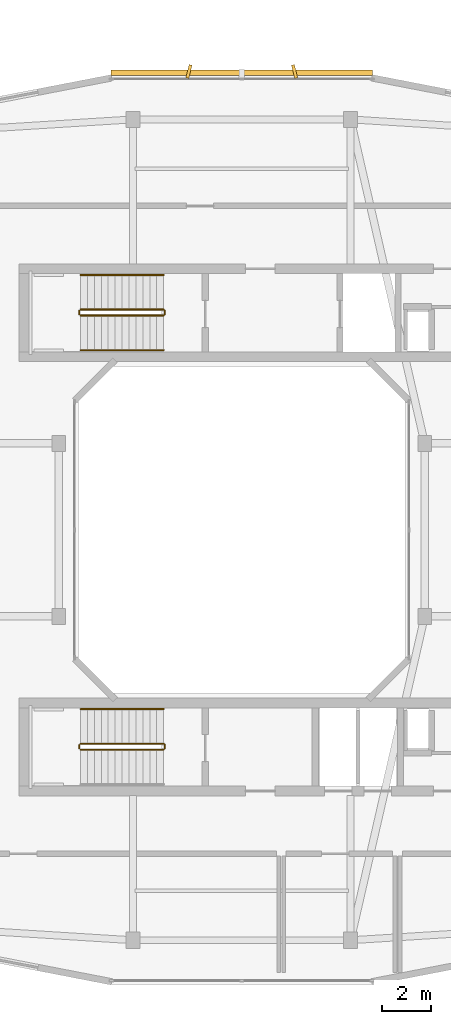
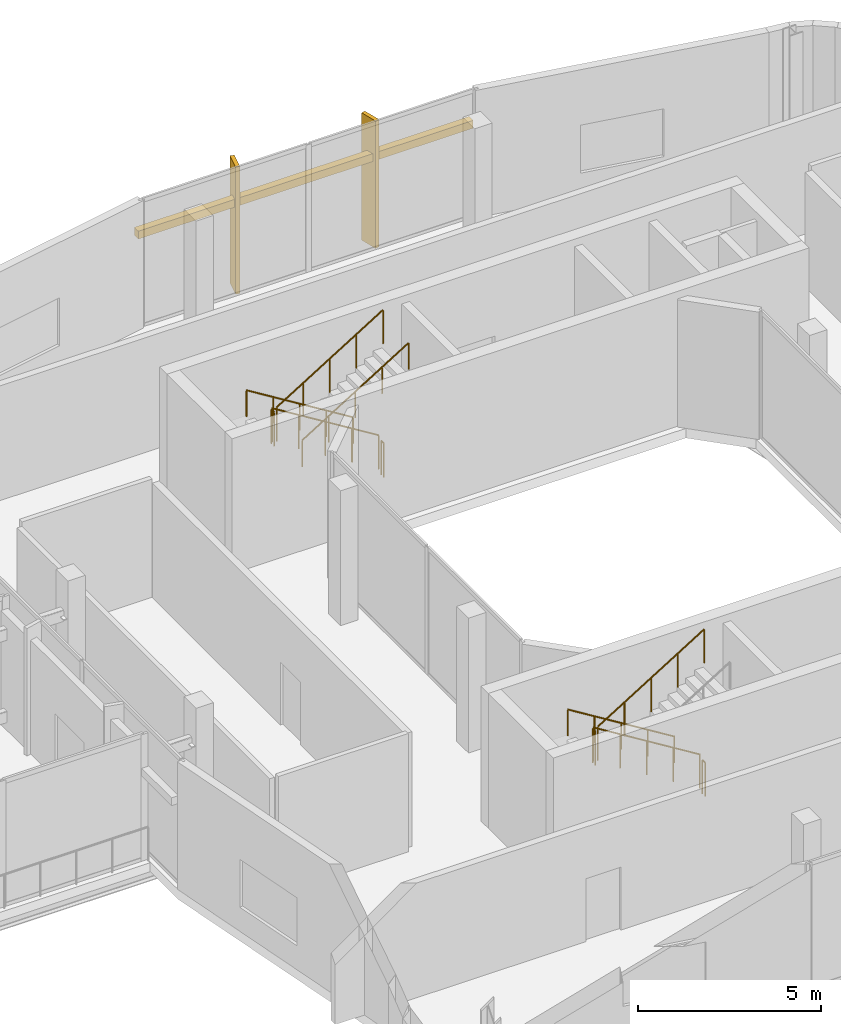
# One storey, part 24 of 24: 11 railings, 3 shading devices.
"""IFC4 building model written with IfcOpenShell, lengths in metres."""

import ifcopenshell
import ifcopenshell.guid

model = None  # the IFC model being written
_history = None  # IfcOwnerHistory: only IFC2X3 demands one
_inside = {}  # id of a spatial element -> (the spatial element, [elements in it])
_under = {}  # id of a project, library or spatial element -> (it, [spatial elements below it])
_declared = {}  # id of a project -> (the project, [libraries it declares])
_typed = {}  # id of a type object -> (the type object, [elements of that type])
_made_of = {}  # id of a material, layer set ... -> (it, [elements and type objects made of it])


def new_model(schema):
    """Start an empty IFC model of exactly this schema.

    Asked for "IFC4X3", IfcOpenShell would pick the latest addendum, in which some entities
    have other attributes; the version numbers below select the first issue.
    IFC2X3 requires an IfcOwnerHistory on every rooted entity: one is made here for all.
    """
    global model, _history
    if schema == "IFC4X3":
        model = ifcopenshell.file(schema_version=(4, 3, 0, 0))
    else:
        model = ifcopenshell.file(schema=schema)
    _inside.clear()
    _under.clear()
    _declared.clear()
    _typed.clear()
    _made_of.clear()
    _history = None
    if model.schema == "IFC2X3":
        org = make("IfcOrganization", Name="unknown")
        user = make(
            "IfcPersonAndOrganization",
            ThePerson=make("IfcPerson", FamilyName="unknown"),
            TheOrganization=org,
        )
        app = make(
            "IfcApplication",
            ApplicationDeveloper=org,
            Version="unknown",
            ApplicationFullName="unknown",
            ApplicationIdentifier="unknown",
        )
        _history = make(
            "IfcOwnerHistory",
            OwningUser=user,
            OwningApplication=app,
            ChangeAction="ADDED",
            CreationDate=0,
        )
    return model


def make(cls, **values):
    """One entity of the class cls with the attributes given. An attribute that is None is left unset."""
    return model.create_entity(
        cls, **{name: value for name, value in values.items() if value is not None}
    )


def rooted(cls, **values):
    """An entity with a GlobalId (a new one), such as an element, a storey or a relation."""
    return make(cls, GlobalId=ifcopenshell.guid.new(), OwnerHistory=_history, **values)


def si_unit(unit_type, name, prefix=None):
    """IfcSIUnit, for example si_unit("LENGTHUNIT", "METRE", prefix="MILLI")."""
    return make("IfcSIUnit", UnitType=unit_type, Prefix=prefix, Name=name)


def derived_unit(unit_type, elements):
    """IfcDerivedUnit: a product of units, each with its exponent."""
    return make(
        "IfcDerivedUnit",
        Elements=[
            make("IfcDerivedUnitElement", Unit=unit, Exponent=power)
            for unit, power in elements
        ],
        UnitType=unit_type,
    )


def assignment(units):
    """IfcUnitAssignment: the units of a project."""
    return None if units is None else make("IfcUnitAssignment", Units=units)


def point(xyz):
    """IfcCartesianPoint."""
    return None if xyz is None else make("IfcCartesianPoint", Coordinates=xyz)


def direction(xyz):
    """IfcDirection."""
    return None if xyz is None else make("IfcDirection", DirectionRatios=xyz)


def frame(location, z_axis=None, x_axis=None):
    """IfcAxis2Placement3D, a coordinate frame: its origin and axes. An axis left out is left unset."""
    return make(
        "IfcAxis2Placement3D",
        Location=point(location),
        Axis=direction(z_axis),
        RefDirection=direction(x_axis),
    )


def frame_2d(location, x_axis=None):
    """IfcAxis2Placement2D, a coordinate frame in the plane: its origin and x axis."""
    return make(
        "IfcAxis2Placement2D", Location=point(location), RefDirection=direction(x_axis)
    )


def origin():
    """The frame at (0, 0, 0) with its axes left unset."""
    return frame((0.0, 0.0, 0.0))


def origin_2d():
    """The frame at (0, 0) in the plane with its x axis left unset."""
    return frame_2d((0.0, 0.0))


def place(relative_to, where):
    """IfcLocalPlacement: puts the frame where relative to a parent placement (None: the world)."""
    return make(
        "IfcLocalPlacement", PlacementRelTo=relative_to, RelativePlacement=where
    )


def context(
    kind, dimensions, precision=None, world=None, true_north=None, identifier=None
):
    """IfcGeometricRepresentationContext, for example the 3D "Model" context."""
    return make(
        "IfcGeometricRepresentationContext",
        ContextIdentifier=identifier,
        ContextType=kind,
        CoordinateSpaceDimension=dimensions,
        Precision=precision,
        WorldCoordinateSystem=world,
        TrueNorth=true_north,
    )


def subcontext(parent, identifier, kind, view, scale=None):
    """IfcGeometricRepresentationSubContext, for example "Body" below "Model"."""
    return make(
        "IfcGeometricRepresentationSubContext",
        ContextIdentifier=identifier,
        ContextType=kind,
        ParentContext=parent,
        TargetScale=scale,
        TargetView=view,
    )


def project(units=None, contexts=None):
    """IfcProject with its units and contexts."""
    return rooted(
        "IfcProject",
        Name="project",
        RepresentationContexts=contexts,
        UnitsInContext=assignment(units),
    )


def spatial(cls, under=None, at=None, **own):
    """A site, building, storey or space (cls), placed at a placement, below another one or the project."""
    s = rooted(cls, ObjectPlacement=at, **own)
    if under is not None:
        _under.setdefault(under.id(), (under, []))[1].append(s)
    return s


def profile(cls, at=None, kind="AREA", **sizes):
    """A parametric profile (cls). Its sizes go by their IFC names, for example OverallWidth=200.0."""
    return make(cls, ProfileType=kind, Position=at, **sizes)


def rectangle(**sizes):
    """IfcRectangleProfileDef."""
    return profile("IfcRectangleProfileDef", **sizes)


def circle(**sizes):
    """IfcCircleProfileDef."""
    return profile("IfcCircleProfileDef", **sizes)


def extrude(swept, where, along, depth):
    """IfcExtrudedAreaSolid: the profile swept, set in the frame where, extruded along a direction by depth."""
    return make(
        "IfcExtrudedAreaSolid",
        SweptArea=swept,
        Position=where,
        ExtrudedDirection=direction(along),
        Depth=depth,
    )


def shape(context_of_items, identifier, shape_type, items):
    """IfcShapeRepresentation: the items that make up one representation, for example the "Body"."""
    return make(
        "IfcShapeRepresentation",
        ContextOfItems=context_of_items,
        RepresentationIdentifier=identifier,
        RepresentationType=shape_type,
        Items=items,
    )


def material(Name=None, Category=None):
    """IfcMaterial."""
    return make("IfcMaterial", Name=Name, Category=Category)


def made_of(thing, what):
    """Note that an element or type object is made of a material, layer set ...; save() writes the relation."""
    if what is not None:
        _made_of.setdefault(what.id(), (what, []))[1].append(thing)
    return thing


def type_object(cls, material=None, **own):
    """A type object (cls), such as IfcWallType, which elements share."""
    return made_of(rooted(cls, **own), material)


def element(
    cls,
    number,
    at=None,
    inside=None,
    cuts=None,
    type_object=None,
    material=None,
    context=None,
    identifier="Body",
    shape_type=None,
    held_by="IfcProductDefinitionShape",
    body=None,
    shapes=None,
    **own,
):
    """One element of the class cls, such as IfcWall. Its Tag is "e" and its number.

    at: its placement. inside: the storey or other place that contains it. cuts: it is an
    opening in that element (IfcRelVoidsElement). A single representation is given by context,
    identifier, shape_type and body (its items); several are given by shapes. held_by: the class
    of the entity that holds the representations. save() writes the other relations.
    """
    e = rooted(cls, Tag="e%d" % number, ObjectPlacement=at, **own)
    if body is not None:
        shapes = [shape(context, identifier, shape_type, body)]
    if shapes is not None:
        e.Representation = make(held_by, Representations=shapes)
    if inside is not None:
        _inside.setdefault(inside.id(), (inside, []))[1].append(e)
    if cuts is not None:
        rooted(
            "IfcRelVoidsElement", RelatingBuildingElement=cuts, RelatedOpeningElement=e
        )
    if type_object is not None:
        _typed.setdefault(type_object.id(), (type_object, []))[1].append(e)
    return made_of(e, material)


def aggregate(whole, parts):
    """IfcRelAggregates: a whole, such as a stair, and the parts it consists of."""
    return rooted("IfcRelAggregates", RelatingObject=whole, RelatedObjects=parts)


def save(model, path):
    """Write the relations noted so far, then the file.

    IfcRelAggregates (storeys below a building ...), IfcRelContainedInSpatialStructure (elements
    in a storey), IfcRelDefinesByType, IfcRelAssociatesMaterial and IfcRelDeclares: one each for
    every whole, place, type object, material and project.
    """
    for whole, parts in _under.values():
        aggregate(whole, parts)
    for where, things in _inside.values():
        rooted(
            "IfcRelContainedInSpatialStructure",
            RelatedElements=things,
            RelatingStructure=where,
        )
    for kind, things in _typed.values():
        rooted("IfcRelDefinesByType", RelatedObjects=things, RelatingType=kind)
    for what, things in _made_of.values():
        rooted("IfcRelAssociatesMaterial", RelatedObjects=things, RelatingMaterial=what)
    for by, libraries in _declared.values():
        rooted("IfcRelDeclares", RelatingContext=by, RelatedDefinitions=libraries)
    model.write(path)


model = new_model("IFC4")

# Units and contexts
model_context = context("Model", 3, precision=1e-05, world=origin(), true_north=direction((0.0, 1.0)))
body_context = subcontext(model_context, "Body", "Model", "MODEL_VIEW")
ifc_project = project(units=[si_unit("LENGTHUNIT", "METRE"), si_unit("AREAUNIT", "SQUARE_METRE"), si_unit("VOLUMEUNIT", "CUBIC_METRE"), si_unit("PLANEANGLEUNIT", "RADIAN"), si_unit("MASSUNIT", "GRAM", prefix="KILO"), derived_unit("THERMALTRANSMITTANCEUNIT", [(si_unit("POWERUNIT", "WATT"), 1), (si_unit("LENGTHUNIT", "METRE"), -2), (si_unit("THERMODYNAMICTEMPERATUREUNIT", "KELVIN"), -1)])], contexts=[model_context])

# Site, building, storey
site_placement = place(None, origin())
site = spatial("IfcSite", under=ifc_project, at=site_placement, CompositionType="ELEMENT")
building_placement = place(site_placement, origin())
building = spatial("IfcBuilding", under=site, at=building_placement, Name="Kivonza Crest Hotel", CompositionType="ELEMENT")
storey_placement = place(building_placement, frame((0.0, 0.0, 119.5)))
storey = spatial("IfcBuildingStorey", under=building, at=storey_placement, Name="L32", CompositionType="ELEMENT", Elevation=119.5)

# Railings
ifc_material_1 = material(Name="Brushed stainless steel handrail", Category="steel")
railing_type_1 = type_object("IfcRailingType", Name="RL-HAND-900", PredefinedType="HANDRAIL", material=ifc_material_1)
railing_1_placement = place(storey_placement, frame((73.840087890625, 35.31005859375, 0.173095703125)))
element("IfcRailing", 1, at=railing_1_placement, inside=storey, type_object=railing_type_1, Name="L32 ST-T2-N stair handrail 1", PredefinedType="HANDRAIL", context=body_context, shape_type="SweptSolid", body=[
    extrude(circle(Radius=0.02392578125, at=origin_2d()), frame((0.0, 0.0, 0.8759765625), z_axis=(-0.850623216509, 0.0, 0.525775754039), x_axis=(0.0, -1.0, 0.0)), (0.0, 0.0, 1.0), 3.9501953125),
    extrude(circle(Radius=0.02099609375, at=origin_2d()), origin(), (0.0, 0.0, 1.0), 0.851806640625),
    extrude(circle(Radius=0.02099609375, at=origin_2d()), frame((-0.840087890625, 0.0, 0.519287109375)), (0.0, 0.0, 1.0), 0.851806640625),
    extrude(circle(Radius=0.02099609375, at=origin_2d()), frame((-1.68017578125, 0.0, 1.03857421875)), (0.0, 0.0, 1.0), 0.851806640625),
    extrude(circle(Radius=0.02099609375, at=origin_2d()), frame((-2.52001953125, 0.0, 1.5576171875)), (0.0, 0.0, 1.0), 0.851806640625),
    extrude(circle(Radius=0.02099609375, at=origin_2d()), frame((-3.360107421875, 0.0, 2.076904296875)), (0.0, 0.0, 1.0), 0.851806640625),
])
railing_2_placement = place(storey_placement, frame((70.47998046875, 32.27001953125, 2.423095703125)))
element("IfcRailing", 2, at=railing_2_placement, inside=storey, type_object=railing_type_1, Name="L32 ST-T2-N stair handrail 2", PredefinedType="HANDRAIL", context=body_context, shape_type="SweptSolid", body=[
    extrude(circle(Radius=0.02392578125, at=origin_2d()), frame((0.0, 0.0, 0.8759765625), z_axis=(0.850623216509, 0.0, 0.525775754039), x_axis=(0.0, 1.0, 0.0)), (0.0, 0.0, 1.0), 3.9501953125),
    extrude(circle(Radius=0.02099609375, at=origin_2d()), origin(), (0.0, 0.0, 1.0), 0.851806640625),
    extrude(circle(Radius=0.02099609375, at=origin_2d()), frame((0.840087890625, 0.0, 0.519287109375)), (0.0, 0.0, 1.0), 0.851806640625),
    extrude(circle(Radius=0.02099609375, at=origin_2d()), frame((1.68017578125, 0.0, 1.03857421875)), (0.0, 0.0, 1.0), 0.851806640625),
    extrude(circle(Radius=0.02099609375, at=origin_2d()), frame((2.52001953125, 0.0, 1.5576171875)), (0.0, 0.0, 1.0), 0.851806640625),
    extrude(circle(Radius=0.02099609375, at=origin_2d()), frame((3.360107421875, 0.0, 2.076904296875)), (0.0, 0.0, 1.0), 0.851806640625),
])
railing_3_placement = place(storey_placement, frame((73.840087890625, 17.75, 0.173095703125)))
element("IfcRailing", 3, at=railing_3_placement, inside=storey, type_object=railing_type_1, Name="L32 ST-T2-S stair handrail 1", PredefinedType="HANDRAIL", context=body_context, shape_type="SweptSolid", body=[
    extrude(circle(Radius=0.02392578125, at=origin_2d()), frame((0.0, 0.0, 0.8759765625), z_axis=(-0.850623216509, 0.0, 0.525775754039), x_axis=(0.0, -1.0, 0.0)), (0.0, 0.0, 1.0), 3.9501953125),
    extrude(circle(Radius=0.02099609375, at=origin_2d()), origin(), (0.0, 0.0, 1.0), 0.851806640625),
    extrude(circle(Radius=0.02099609375, at=origin_2d()), frame((-0.840087890625, 0.0, 0.519287109375)), (0.0, 0.0, 1.0), 0.851806640625),
    extrude(circle(Radius=0.02099609375, at=origin_2d()), frame((-1.68017578125, 0.0, 1.03857421875)), (0.0, 0.0, 1.0), 0.851806640625),
    extrude(circle(Radius=0.02099609375, at=origin_2d()), frame((-2.52001953125, 0.0, 1.5576171875)), (0.0, 0.0, 1.0), 0.851806640625),
    extrude(circle(Radius=0.02099609375, at=origin_2d()), frame((-3.360107421875, 0.0, 2.076904296875)), (0.0, 0.0, 1.0), 0.851806640625),
])
ifc_material_2 = material(Name="Painted steel balustrade", Category="steel")
railing_type_2 = type_object("IfcRailingType", Name="RL-STAIR-1150", PredefinedType="BALUSTRADE", material=ifc_material_2)
railing_4_placement = place(storey_placement, frame((73.840087890625, 33.909912109375, 0.173095703125)))
element("IfcRailing", 4, at=railing_4_placement, inside=storey, type_object=railing_type_2, Name="L32 ST-T2-N stair guard 1", PredefinedType="BALUSTRADE", context=body_context, shape_type="SweptSolid", body=[
    extrude(circle(Radius=0.02392578125, at=origin_2d()), frame((0.0, 0.0, 1.1259765625), z_axis=(-0.850623216509, 0.0, 0.525775754039), x_axis=(0.0, -1.0, 0.0)), (0.0, 0.0, 1.0), 3.9501953125),
    extrude(circle(Radius=0.02099609375, at=origin_2d()), origin(), (0.0, 0.0, 1.0), 1.101806640625),
    extrude(circle(Radius=0.02099609375, at=origin_2d()), frame((-0.840087890625, 0.0, 0.519287109375)), (0.0, 0.0, 1.0), 1.101806640625),
    extrude(circle(Radius=0.02099609375, at=origin_2d()), frame((-1.68017578125, 0.0, 1.03857421875)), (0.0, 0.0, 1.0), 1.101806640625),
    extrude(circle(Radius=0.02099609375, at=origin_2d()), frame((-2.52001953125, 0.0, 1.5576171875)), (0.0, 0.0, 1.0), 1.101806640625),
    extrude(circle(Radius=0.02099609375, at=origin_2d()), frame((-3.360107421875, 0.0, 2.076904296875)), (0.0, 0.0, 1.0), 1.101806640625),
])
railing_5_placement = place(storey_placement, frame((70.429931640625, 33.860107421875, 2.25)))
element("IfcRailing", 5, at=railing_5_placement, inside=storey, type_object=railing_type_2, Name="L32 ST-T2-N stair guard 2", PredefinedType="BALUSTRADE", context=body_context, shape_type="SweptSolid", body=[
    extrude(circle(Radius=0.02392578125, at=origin_2d()), frame((0.0, 0.0, 1.1259765625), z_axis=(0.0, -1.0, 0.0), x_axis=(1.0, 0.0, 0.0)), (0.0, 0.0, 1.0), 0.14013671875),
    extrude(circle(Radius=0.02099609375, at=origin_2d()), origin(), (0.0, 0.0, 1.0), 1.101806640625),
    extrude(circle(Radius=0.02099609375, at=origin_2d()), frame((0.0, -0.14013671875, 0.0)), (0.0, 0.0, 1.0), 1.101806640625),
])
railing_6_placement = place(storey_placement, frame((70.47998046875, 33.669921875, 2.423095703125)))
element("IfcRailing", 6, at=railing_6_placement, inside=storey, type_object=railing_type_2, Name="L32 ST-T2-N stair guard 3", PredefinedType="BALUSTRADE", context=body_context, shape_type="SweptSolid", body=[
    extrude(circle(Radius=0.02392578125, at=origin_2d()), frame((0.0, 0.0, 1.1259765625), z_axis=(0.850623216509, 0.0, 0.525775754039), x_axis=(0.0, 1.0, 0.0)), (0.0, 0.0, 1.0), 3.9501953125),
    extrude(circle(Radius=0.02099609375, at=origin_2d()), origin(), (0.0, 0.0, 1.0), 1.101806640625),
    extrude(circle(Radius=0.02099609375, at=origin_2d()), frame((0.840087890625, 0.0, 0.519287109375)), (0.0, 0.0, 1.0), 1.101806640625),
    extrude(circle(Radius=0.02099609375, at=origin_2d()), frame((1.68017578125, 0.0, 1.03857421875)), (0.0, 0.0, 1.0), 1.101806640625),
    extrude(circle(Radius=0.02099609375, at=origin_2d()), frame((2.52001953125, 0.0, 1.5576171875)), (0.0, 0.0, 1.0), 1.101806640625),
    extrude(circle(Radius=0.02099609375, at=origin_2d()), frame((3.360107421875, 0.0, 2.076904296875)), (0.0, 0.0, 1.0), 1.101806640625),
])
railing_7_placement = place(storey_placement, frame((73.889892578125, 33.860107421875, 0.0)))
element("IfcRailing", 7, at=railing_7_placement, inside=storey, type_object=railing_type_2, Name="L32 ST-T2-N stair guard 4", PredefinedType="BALUSTRADE", context=body_context, shape_type="SweptSolid", body=[
    extrude(circle(Radius=0.02392578125, at=origin_2d()), frame((0.0, 0.0, 1.1259765625), z_axis=(0.0, -1.0, 0.0), x_axis=(1.0, 0.0, 0.0)), (0.0, 0.0, 1.0), 0.14013671875),
    extrude(circle(Radius=0.02099609375, at=origin_2d()), origin(), (0.0, 0.0, 1.0), 1.101806640625),
    extrude(circle(Radius=0.02099609375, at=origin_2d()), frame((0.0, -0.14013671875, 0.0)), (0.0, 0.0, 1.0), 1.101806640625),
])
railing_8_placement = place(storey_placement, frame((73.840087890625, 16.35009765625, 0.173095703125)))
element("IfcRailing", 8, at=railing_8_placement, inside=storey, type_object=railing_type_2, Name="L32 ST-T2-S stair guard 1", PredefinedType="BALUSTRADE", context=body_context, shape_type="SweptSolid", body=[
    extrude(circle(Radius=0.02392578125, at=origin_2d()), frame((0.0, 0.0, 1.1259765625), z_axis=(-0.850623216509, 0.0, 0.525775754039), x_axis=(0.0, -1.0, 0.0)), (0.0, 0.0, 1.0), 3.9501953125),
    extrude(circle(Radius=0.02099609375, at=origin_2d()), origin(), (0.0, 0.0, 1.0), 1.101806640625),
    extrude(circle(Radius=0.02099609375, at=origin_2d()), frame((-0.840087890625, 0.0, 0.519287109375)), (0.0, 0.0, 1.0), 1.101806640625),
    extrude(circle(Radius=0.02099609375, at=origin_2d()), frame((-1.68017578125, 0.0, 1.03857421875)), (0.0, 0.0, 1.0), 1.101806640625),
    extrude(circle(Radius=0.02099609375, at=origin_2d()), frame((-2.52001953125, 0.0, 1.5576171875)), (0.0, 0.0, 1.0), 1.101806640625),
    extrude(circle(Radius=0.02099609375, at=origin_2d()), frame((-3.360107421875, 0.0, 2.076904296875)), (0.0, 0.0, 1.0), 1.101806640625),
])
railing_9_placement = place(storey_placement, frame((70.429931640625, 16.300048828125, 2.25)))
element("IfcRailing", 9, at=railing_9_placement, inside=storey, type_object=railing_type_2, Name="L32 ST-T2-S stair guard 2", PredefinedType="BALUSTRADE", context=body_context, shape_type="SweptSolid", body=[
    extrude(circle(Radius=0.02392578125, at=origin_2d()), frame((0.0, 0.0, 1.1259765625), z_axis=(0.0, -1.0, 0.0), x_axis=(1.0, 0.0, 0.0)), (0.0, 0.0, 1.0), 0.14013671875),
    extrude(circle(Radius=0.02099609375, at=origin_2d()), origin(), (0.0, 0.0, 1.0), 1.101806640625),
    extrude(circle(Radius=0.02099609375, at=origin_2d()), frame((0.0, -0.14013671875, 0.0)), (0.0, 0.0, 1.0), 1.101806640625),
])
railing_10_placement = place(storey_placement, frame((70.47998046875, 16.110107421875, 2.423095703125)))
element("IfcRailing", 10, at=railing_10_placement, inside=storey, type_object=railing_type_2, Name="L32 ST-T2-S stair guard 3", PredefinedType="BALUSTRADE", context=body_context, shape_type="SweptSolid", body=[
    extrude(circle(Radius=0.02392578125, at=origin_2d()), frame((0.0, 0.0, 1.1259765625), z_axis=(0.850623216509, 0.0, 0.525775754039), x_axis=(0.0, 1.0, 0.0)), (0.0, 0.0, 1.0), 3.9501953125),
    extrude(circle(Radius=0.02099609375, at=origin_2d()), origin(), (0.0, 0.0, 1.0), 1.101806640625),
    extrude(circle(Radius=0.02099609375, at=origin_2d()), frame((0.840087890625, 0.0, 0.519287109375)), (0.0, 0.0, 1.0), 1.101806640625),
    extrude(circle(Radius=0.02099609375, at=origin_2d()), frame((1.68017578125, 0.0, 1.03857421875)), (0.0, 0.0, 1.0), 1.101806640625),
    extrude(circle(Radius=0.02099609375, at=origin_2d()), frame((2.52001953125, 0.0, 1.5576171875)), (0.0, 0.0, 1.0), 1.101806640625),
    extrude(circle(Radius=0.02099609375, at=origin_2d()), frame((3.360107421875, 0.0, 2.076904296875)), (0.0, 0.0, 1.0), 1.101806640625),
])
railing_11_placement = place(storey_placement, frame((73.889892578125, 16.300048828125, 0.0)))
element("IfcRailing", 11, at=railing_11_placement, inside=storey, type_object=railing_type_2, Name="L32 ST-T2-S stair guard 4", PredefinedType="BALUSTRADE", context=body_context, shape_type="SweptSolid", body=[
    extrude(circle(Radius=0.02392578125, at=origin_2d()), frame((0.0, 0.0, 1.1259765625), z_axis=(0.0, -1.0, 0.0), x_axis=(1.0, 0.0, 0.0)), (0.0, 0.0, 1.0), 0.14013671875),
    extrude(circle(Radius=0.02099609375, at=origin_2d()), origin(), (0.0, 0.0, 1.0), 1.101806640625),
    extrude(circle(Radius=0.02099609375, at=origin_2d()), frame((0.0, -0.14013671875, 0.0)), (0.0, 0.0, 1.0), 1.101806640625),
])

# Shading devices
ifc_material_3 = material(Name="Kiln-fired Nairobi red-ochre terracotta", Category="masonry")
shading_device_type_1 = type_object("IfcShadingDeviceType", Name="SH-BAGUETTE-300", PredefinedType="USERDEFINED", material=ifc_material_3)
shading_device_placement = place(storey_placement, frame((77.0, 43.47998046875, 2.84521484375), z_axis=(0.0, 0.0, 1.0), x_axis=(-1.0, 0.0, 0.0)))
element("IfcShadingDevice", 12, at=shading_device_placement, inside=storey, type_object=shading_device_type_1, Name="L32 terracotta baguette screen CW-T2-L32-26", ObjectType="BAGUETTE", PredefinedType="USERDEFINED", context=body_context, shape_type="SweptSolid", body=[
    extrude(rectangle(XDim=10.56005859375, YDim=0.219970703125, at=origin_2d()), origin(), (0.0, 0.0, 1.0), 0.260009765625),
])
ifc_material_4 = material(Name="Kiln-fired terracotta over extruded aluminium spine", Category="masonry")
shading_device_type_2 = type_object("IfcShadingDeviceType", Name="SH-FIN-550", PredefinedType="USERDEFINED", material=ifc_material_4)
for number, where, z_axis, x_axis, name in (
    (13, (79.135986328125, 43.5400390625, 0.0), (0.0, 0.0, 1.0), (-0.970295726276, -0.2419218956, 0.0), "L32 vertical solar shading fin CW-T2-L32-26-1"),
    (14, (74.864013671875, 43.5400390625, 0.0), (0.0, 0.0, 1.0), (-0.970295726276, 0.2419218956, 0.0), "L32 vertical solar shading fin CW-T2-L32-26-2"),
):
    element("IfcShadingDevice", number, at=place(storey_placement, frame(where, z_axis=z_axis, x_axis=x_axis)), inside=storey, type_object=shading_device_type_2, Name=name, ObjectType="FIN", PredefinedType="USERDEFINED", context=body_context, shape_type="SweptSolid", body=[
        extrude(rectangle(XDim=0.1201171875, YDim=0.550048828125, at=origin_2d()), origin(), (0.0, 0.0, 1.0), 4.25),
    ])

save(model, "model.ifc")
